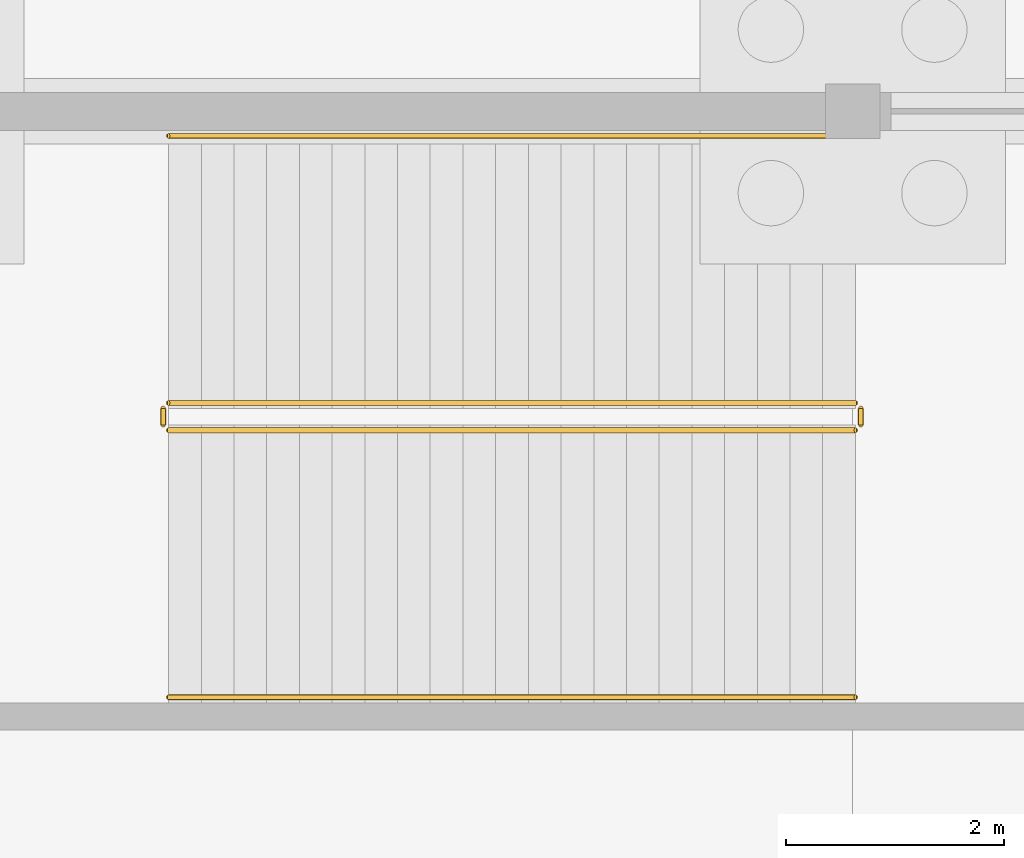
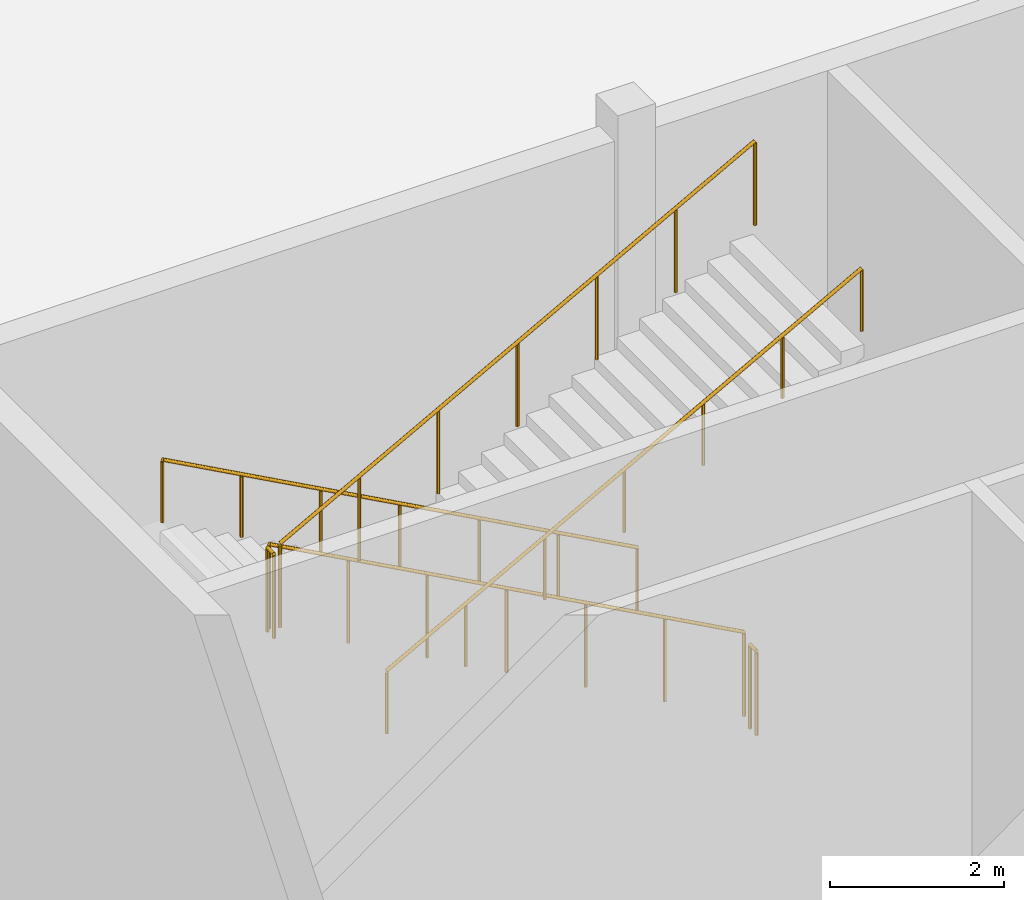
# One storey, part 226 of 239: 6 railings.
"""IFC4 building model written with IfcOpenShell, lengths in metres."""

from ifc_helpers import new_model, si_unit, direction, frame, origin, origin_2d, place, context, subcontext, project, spatial, circle, extrude, material, type_object, element, save


model = new_model("IFC4")

# Units and contexts
model_context = context("Model", 3, precision=1e-05, world=origin(), true_north=direction((0.0, 1.0)))
body_context = subcontext(model_context, "Body", "Model", "MODEL_VIEW")
ifc_project = project(units=[si_unit("LENGTHUNIT", "METRE"), si_unit("AREAUNIT", "SQUARE_METRE"), si_unit("VOLUMEUNIT", "CUBIC_METRE"), si_unit("PLANEANGLEUNIT", "RADIAN"), si_unit("MASSUNIT", "GRAM", prefix="KILO")], contexts=[model_context])

# Site, building, storey
site_placement = place(None, origin())
site = spatial("IfcSite", under=ifc_project, at=site_placement, CompositionType="ELEMENT")
building_placement = place(site_placement, origin())
building = spatial("IfcBuilding", under=site, at=building_placement, Name="Okhra Congress Centre", CompositionType="ELEMENT")
storey_placement = place(building_placement, origin())
storey = spatial("IfcBuildingStorey", under=building, at=storey_placement, Name="L00", CompositionType="ELEMENT", Elevation=0.0)

# Railings
ifc_material_1 = material(Name="Painted steel tube handrail on wall brackets", Category="steel")
railing_type_1 = type_object("IfcRailingType", Name="Steel handrail 900", PredefinedType="HANDRAIL", material=ifc_material_1)
railing_1_placement = place(storey_placement, frame((37.02490234375, 227.77490234375, 0.16357421875)))
element("IfcRailing", 1, at=railing_1_placement, inside=storey, type_object=railing_type_1, Name="L00 ES1 stair handrail 1", PredefinedType="HANDRAIL", context=body_context, shape_type="SweptSolid", body=[
    extrude(circle(Radius=0.02392578125, at=origin_2d()), frame((0.0, 0.0, 0.8759765625), z_axis=(-0.877879970424, 0.0, 0.478880734138), x_axis=(0.0, -1.0, 0.0)), (0.0, 0.0, 1.0), 7.17626953125),
    extrude(circle(Radius=0.02099609375, at=origin_2d()), origin(), (0.0, 0.0, 1.0), 0.851806640625),
    extrude(circle(Radius=0.02099609375, at=origin_2d()), frame((-1.050048828125, 0.0, 0.57275390625)), (0.0, 0.0, 1.0), 0.851806640625),
    extrude(circle(Radius=0.02099609375, at=origin_2d()), frame((-2.099853515625, 0.0, 1.1455078125)), (0.0, 0.0, 1.0), 0.851806640625),
    extrude(circle(Radius=0.02099609375, at=origin_2d()), frame((-3.14990234375, 0.0, 1.71826171875)), (0.0, 0.0, 1.0), 0.851806640625),
    extrude(circle(Radius=0.02099609375, at=origin_2d()), frame((-4.199951171875, 0.0, 2.291015625)), (0.0, 0.0, 1.0), 0.851806640625),
    extrude(circle(Radius=0.02099609375, at=origin_2d()), frame((-5.249755859375, 0.0, 2.86376953125)), (0.0, 0.0, 1.0), 0.851806640625),
    extrude(circle(Radius=0.02099609375, at=origin_2d()), frame((-6.2998046875, 0.0, 3.4365234375)), (0.0, 0.0, 1.0), 0.851806640625),
])
railing_2_placement = place(storey_placement, frame((30.72509765625, 222.625, 3.763671875)))
element("IfcRailing", 2, at=railing_2_placement, inside=storey, type_object=railing_type_1, Name="L00 ES1 stair handrail 2", PredefinedType="HANDRAIL", context=body_context, shape_type="SweptSolid", body=[
    extrude(circle(Radius=0.02392578125, at=origin_2d()), frame((0.0, 0.0, 0.8759765625), z_axis=(0.877894272721, 0.0, 0.47885451436), x_axis=(0.0, 1.0, 0.0)), (0.0, 0.0, 1.0), 7.176025390625),
    extrude(circle(Radius=0.02099609375, at=origin_2d()), origin(), (0.0, 0.0, 1.0), 0.851806640625),
    extrude(circle(Radius=0.02099609375, at=origin_2d()), frame((1.050048828125, 0.0, 0.57275390625)), (0.0, 0.0, 1.0), 0.851806640625),
    extrude(circle(Radius=0.02099609375, at=origin_2d()), frame((2.099853515625, 0.0, 1.1455078125)), (0.0, 0.0, 1.0), 0.851806640625),
    extrude(circle(Radius=0.02099609375, at=origin_2d()), frame((3.14990234375, 0.0, 1.71826171875)), (0.0, 0.0, 1.0), 0.851806640625),
    extrude(circle(Radius=0.02099609375, at=origin_2d()), frame((4.199951171875, 0.0, 2.290771484375)), (0.0, 0.0, 1.0), 0.851806640625),
    extrude(circle(Radius=0.02099609375, at=origin_2d()), frame((5.249755859375, 0.0, 2.863525390625)), (0.0, 0.0, 1.0), 0.851806640625),
    extrude(circle(Radius=0.02099609375, at=origin_2d()), frame((6.2998046875, 0.0, 3.436279296875)), (0.0, 0.0, 1.0), 0.851806640625),
])
ifc_material_2 = material(Name="Painted steel tube guard with vertical steel balusters", Category="steel")
railing_type_2 = type_object("IfcRailingType", Name="Steel stair guard 1200", PredefinedType="GUARDRAIL", material=ifc_material_2)
railing_3_placement = place(storey_placement, frame((37.02490234375, 225.324951171875, 0.16357421875)))
element("IfcRailing", 3, at=railing_3_placement, inside=storey, type_object=railing_type_2, Name="L00 ES1 stair guard 1", PredefinedType="GUARDRAIL", context=body_context, shape_type="SweptSolid", body=[
    extrude(circle(Radius=0.02392578125, at=origin_2d()), frame((0.0, 0.0, 1.17578125), z_axis=(-0.877879970424, 0.0, 0.478880734138), x_axis=(0.0, -1.0, 0.0)), (0.0, 0.0, 1.0), 7.17626953125),
    extrude(circle(Radius=0.02099609375, at=origin_2d()), origin(), (0.0, 0.0, 1.0), 1.15185546875),
    extrude(circle(Radius=0.02099609375, at=origin_2d()), frame((-1.050048828125, 0.0, 0.57275390625)), (0.0, 0.0, 1.0), 1.15185546875),
    extrude(circle(Radius=0.02099609375, at=origin_2d()), frame((-2.099853515625, 0.0, 1.1455078125)), (0.0, 0.0, 1.0), 1.15185546875),
    extrude(circle(Radius=0.02099609375, at=origin_2d()), frame((-3.14990234375, 0.0, 1.71826171875)), (0.0, 0.0, 1.0), 1.15185546875),
    extrude(circle(Radius=0.02099609375, at=origin_2d()), frame((-4.199951171875, 0.0, 2.291015625)), (0.0, 0.0, 1.0), 1.15185546875),
    extrude(circle(Radius=0.02099609375, at=origin_2d()), frame((-5.249755859375, 0.0, 2.86376953125)), (0.0, 0.0, 1.0), 1.15185546875),
    extrude(circle(Radius=0.02099609375, at=origin_2d()), frame((-6.2998046875, 0.0, 3.4365234375)), (0.0, 0.0, 1.0), 1.15185546875),
])
railing_4_placement = place(storey_placement, frame((30.675048828125, 225.27490234375, 3.60009765625)))
element("IfcRailing", 4, at=railing_4_placement, inside=storey, type_object=railing_type_2, Name="L00 ES1 stair guard 2", PredefinedType="GUARDRAIL", context=body_context, shape_type="SweptSolid", body=[
    extrude(circle(Radius=0.02392578125, at=origin_2d()), frame((0.0, 0.0, 1.17578125), z_axis=(0.0, -1.0, 0.0), x_axis=(1.0, 0.0, 0.0)), (0.0, 0.0, 1.0), 0.14990234375),
    extrude(circle(Radius=0.02099609375, at=origin_2d()), origin(), (0.0, 0.0, 1.0), 1.15185546875),
    extrude(circle(Radius=0.02099609375, at=origin_2d()), frame((0.0, -0.14990234375, 0.0)), (0.0, 0.0, 1.0), 1.15185546875),
])
railing_5_placement = place(storey_placement, frame((30.72509765625, 225.074951171875, 3.763671875)))
element("IfcRailing", 5, at=railing_5_placement, inside=storey, type_object=railing_type_2, Name="L00 ES1 stair guard 3", PredefinedType="GUARDRAIL", context=body_context, shape_type="SweptSolid", body=[
    extrude(circle(Radius=0.02392578125, at=origin_2d()), frame((0.0, 0.0, 1.17578125), z_axis=(0.877894272721, 0.0, 0.47885451436), x_axis=(0.0, 1.0, 0.0)), (0.0, 0.0, 1.0), 7.176025390625),
    extrude(circle(Radius=0.02099609375, at=origin_2d()), origin(), (0.0, 0.0, 1.0), 1.15185546875),
    extrude(circle(Radius=0.02099609375, at=origin_2d()), frame((1.050048828125, 0.0, 0.57275390625)), (0.0, 0.0, 1.0), 1.15185546875),
    extrude(circle(Radius=0.02099609375, at=origin_2d()), frame((2.099853515625, 0.0, 1.1455078125)), (0.0, 0.0, 1.0), 1.15185546875),
    extrude(circle(Radius=0.02099609375, at=origin_2d()), frame((3.14990234375, 0.0, 1.71826171875)), (0.0, 0.0, 1.0), 1.15185546875),
    extrude(circle(Radius=0.02099609375, at=origin_2d()), frame((4.199951171875, 0.0, 2.290771484375)), (0.0, 0.0, 1.0), 1.15185546875),
    extrude(circle(Radius=0.02099609375, at=origin_2d()), frame((5.249755859375, 0.0, 2.863525390625)), (0.0, 0.0, 1.0), 1.15185546875),
    extrude(circle(Radius=0.02099609375, at=origin_2d()), frame((6.2998046875, 0.0, 3.436279296875)), (0.0, 0.0, 1.0), 1.15185546875),
])
railing_6_placement = place(storey_placement, frame((37.074951171875, 225.27490234375, 0.0)))
element("IfcRailing", 6, at=railing_6_placement, inside=storey, type_object=railing_type_2, Name="L00 ES1 stair guard 4", PredefinedType="GUARDRAIL", context=body_context, shape_type="SweptSolid", body=[
    extrude(circle(Radius=0.02392578125, at=origin_2d()), frame((0.0, 0.0, 1.17578125), z_axis=(0.0, -1.0, 0.0), x_axis=(1.0, 0.0, 0.0)), (0.0, 0.0, 1.0), 0.14990234375),
    extrude(circle(Radius=0.02099609375, at=origin_2d()), origin(), (0.0, 0.0, 1.0), 1.15185546875),
    extrude(circle(Radius=0.02099609375, at=origin_2d()), frame((0.0, -0.14990234375, 0.0)), (0.0, 0.0, 1.0), 1.15185546875),
])

save(model, "model.ifc")
